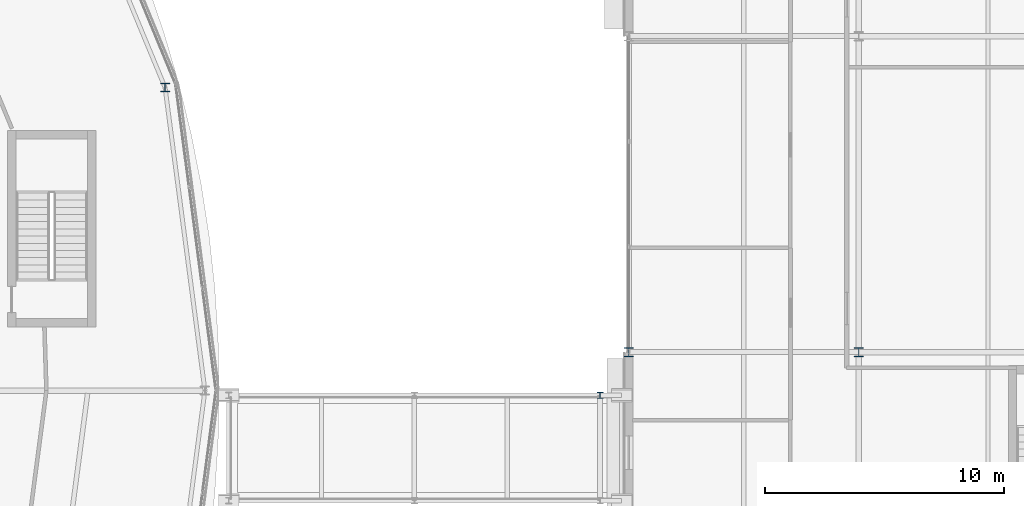
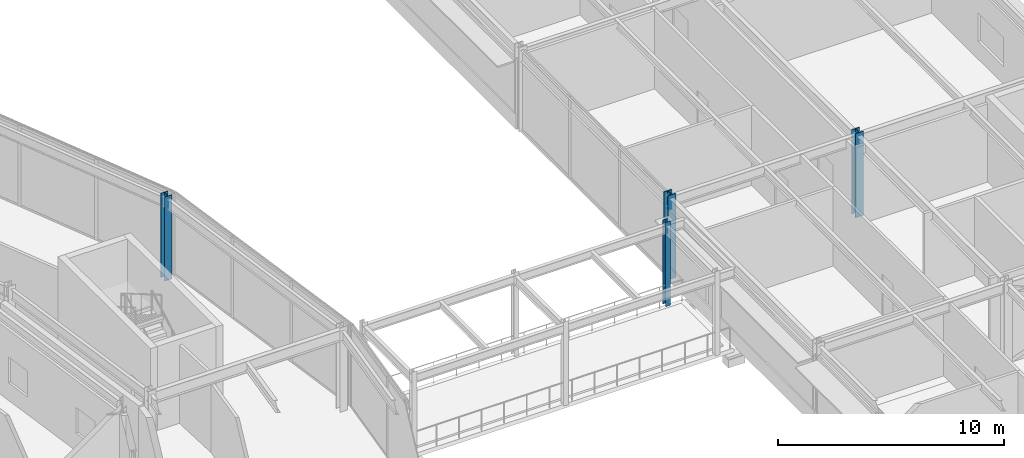
# One storey, part 19 of 157: 4 columns.
"""IFC4 building model written with IfcOpenShell, lengths in metres."""

from ifc_helpers import new_model, si_unit, direction, frame, origin, origin_2d, place, context, subcontext, project, spatial, i_section, extrude, material, material_profile, profile_set, type_object, element, save


model = new_model("IFC4")

# Units and contexts
model_context = context("Model", 3, precision=1e-05, world=origin(), true_north=direction((0.0, 1.0)))
body_context = subcontext(model_context, "Body", "Model", "MODEL_VIEW")
ifc_project = project(units=[si_unit("LENGTHUNIT", "METRE"), si_unit("AREAUNIT", "SQUARE_METRE"), si_unit("VOLUMEUNIT", "CUBIC_METRE"), si_unit("PLANEANGLEUNIT", "RADIAN"), si_unit("MASSUNIT", "GRAM", prefix="KILO")], contexts=[model_context])

# Site, building, storey
site_placement = place(None, origin())
site = spatial("IfcSite", under=ifc_project, at=site_placement, CompositionType="ELEMENT")
building_placement = place(site_placement, origin())
building = spatial("IfcBuilding", under=site, at=building_placement, Name="Almandine Court Research Institute", CompositionType="ELEMENT")
storey_placement = place(building_placement, frame((0.0, 0.0, 5.25)))
storey = spatial("IfcBuildingStorey", under=building, at=storey_placement, Name="L01", CompositionType="ELEMENT", Elevation=5.25)

# Columns
ifc_material = material(Name="Steel ASTM A992 Grade 50", Category="steel")
ifc_material_profile_1 = material_profile(ifc_material, i_section(OverallWidth=0.39794921875, OverallDepth=0.386962890625, WebThickness=0.02392578125, FlangeThickness=0.0390625, at=origin_2d()), Name="W360x262")
ifc_profile_set_1 = profile_set([ifc_material_profile_1], Name="Steel ASTM A992 Grade 50")
column_type_1 = type_object("IfcColumnType", Name="Col-C-W01", PredefinedType="COLUMN", material=ifc_profile_set_1)
for number, where, z_axis, x_axis, name in (
    (1, (153.60009765625, 57.60009765625, 0.0), (0.0, 0.0, 1.0), (1.0, 0.0, 0.0), "L01 V4 Column V4-X2Y6"),
    (2, (163.199951171875, 57.60009765625, 0.0), (0.0, 0.0, 1.0), (1.0, 0.0, 0.0), "L01 V4 Column V4-X3Y6"),
):
    element("IfcColumn", number, at=place(storey_placement, frame(where, z_axis=z_axis, x_axis=x_axis)), inside=storey, type_object=column_type_1, Name=name, PredefinedType="COLUMN", context=body_context, shape_type="SweptSolid", body=[
        extrude(i_section(OverallWidth=0.39794921875, OverallDepth=0.386962890625, WebThickness=0.02392578125, FlangeThickness=0.0390625, at=origin_2d()), origin(), (0.0, 0.0, 1.0), 4.550048828125),
    ])
ifc_material_profile_2 = material_profile(ifc_material, i_section(OverallWidth=0.373046875, OverallDepth=0.367919921875, WebThickness=0.01708984375, FlangeThickness=0.027099609375, at=origin_2d()), Name="W360x179")
ifc_profile_set_2 = profile_set([ifc_material_profile_2], Name="Steel ASTM A992 Grade 50")
column_type_2 = type_object("IfcColumnType", Name="Col-C-W03-E", PredefinedType="COLUMN", material=ifc_profile_set_2)
column_1_placement = place(storey_placement, frame((134.23388671875, 68.656005859375, 0.0), z_axis=(0.0, 0.0, 1.0), x_axis=(1.0, 0.0, 0.0)))
element("IfcColumn", 3, at=column_1_placement, inside=storey, type_object=column_type_2, Name="L01 V5 Column V5-OUT-S01", PredefinedType="COLUMN", context=body_context, shape_type="SweptSolid", body=[
    extrude(i_section(OverallWidth=0.373046875, OverallDepth=0.367919921875, WebThickness=0.01708984375, FlangeThickness=0.027099609375, at=origin_2d()), origin(), (0.0, 0.0, 1.0), 4.550048828125),
])
ifc_material_profile_3 = material_profile(ifc_material, i_section(OverallWidth=0.25390625, OverallDepth=0.2529296875, WebThickness=0.009033203125, FlangeThickness=0.013916015625, at=origin_2d()), Name="W250x73")
ifc_profile_set_3 = profile_set([ifc_material_profile_3], Name="Steel ASTM A992 Grade 50")
column_type_3 = type_object("IfcColumnType", Name="Col-C-W10-E", PredefinedType="COLUMN", material=ifc_profile_set_3)
column_2_placement = place(storey_placement, frame((152.39990234375, 55.800048828125, 0.0), z_axis=(0.0, 0.0, 1.0), x_axis=(1.0, 0.0, 0.0)))
element("IfcColumn", 4, at=column_2_placement, inside=storey, type_object=column_type_3, Name="L01 DAL-E Column DAL-E-X3Y2", PredefinedType="COLUMN", context=body_context, shape_type="SweptSolid", body=[
    extrude(i_section(OverallWidth=0.25390625, OverallDepth=0.2529296875, WebThickness=0.009033203125, FlangeThickness=0.013916015625, at=origin_2d()), origin(), (0.0, 0.0, 1.0), 4.550048828125),
])

save(model, "model.ifc")
